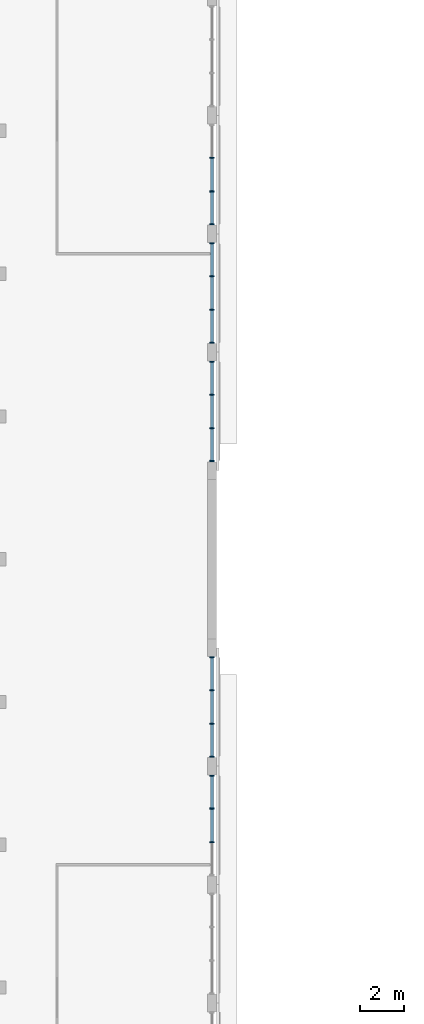
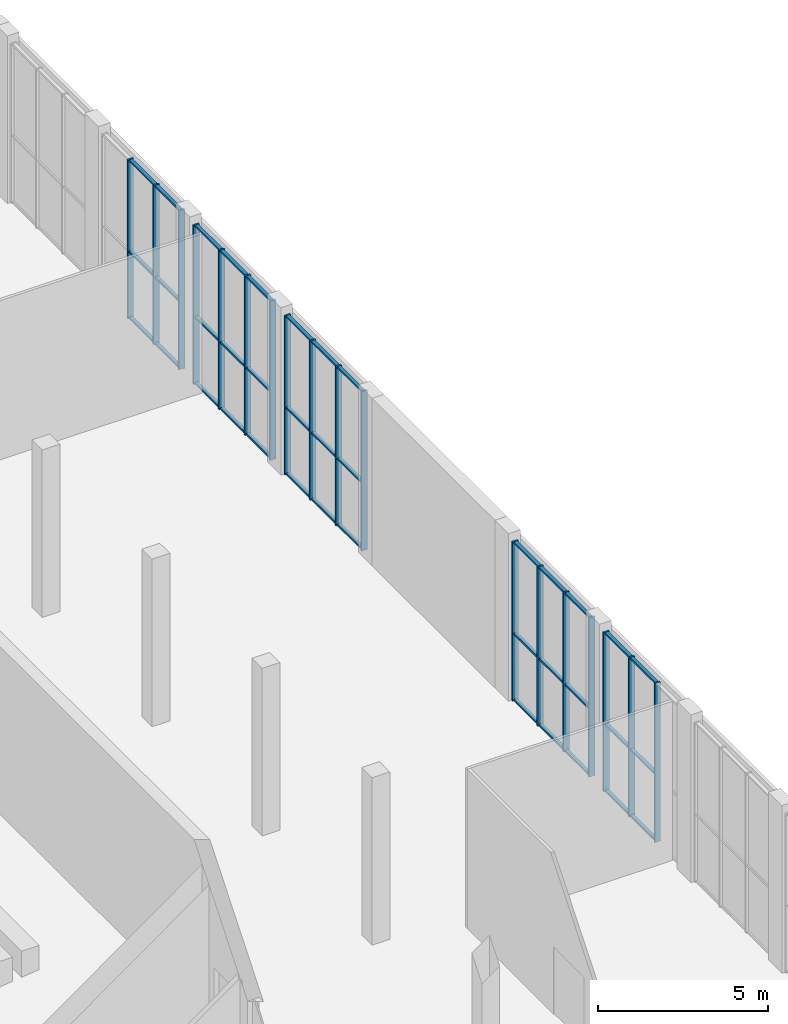
# One storey, part 9 of 74: 57 members, 5 elements without a shape of their own.
"""IFC4 building model written with IfcOpenShell, lengths in metres."""

import ifcopenshell
import ifcopenshell.guid

model = None  # the IFC model being written
_history = None  # IfcOwnerHistory: only IFC2X3 demands one
_inside = {}  # id of a spatial element -> (the spatial element, [elements in it])
_under = {}  # id of a project, library or spatial element -> (it, [spatial elements below it])
_declared = {}  # id of a project -> (the project, [libraries it declares])
_typed = {}  # id of a type object -> (the type object, [elements of that type])
_made_of = {}  # id of a material, layer set ... -> (it, [elements and type objects made of it])


def new_model(schema):
    """Start an empty IFC model of exactly this schema.

    Asked for "IFC4X3", IfcOpenShell would pick the latest addendum, in which some entities
    have other attributes; the version numbers below select the first issue.
    IFC2X3 requires an IfcOwnerHistory on every rooted entity: one is made here for all.
    """
    global model, _history
    if schema == "IFC4X3":
        model = ifcopenshell.file(schema_version=(4, 3, 0, 0))
    else:
        model = ifcopenshell.file(schema=schema)
    _inside.clear()
    _under.clear()
    _declared.clear()
    _typed.clear()
    _made_of.clear()
    _history = None
    if model.schema == "IFC2X3":
        org = make("IfcOrganization", Name="unknown")
        user = make(
            "IfcPersonAndOrganization",
            ThePerson=make("IfcPerson", FamilyName="unknown"),
            TheOrganization=org,
        )
        app = make(
            "IfcApplication",
            ApplicationDeveloper=org,
            Version="unknown",
            ApplicationFullName="unknown",
            ApplicationIdentifier="unknown",
        )
        _history = make(
            "IfcOwnerHistory",
            OwningUser=user,
            OwningApplication=app,
            ChangeAction="ADDED",
            CreationDate=0,
        )
    return model


def make(cls, **values):
    """One entity of the class cls with the attributes given. An attribute that is None is left unset."""
    return model.create_entity(
        cls, **{name: value for name, value in values.items() if value is not None}
    )


def rooted(cls, **values):
    """An entity with a GlobalId (a new one), such as an element, a storey or a relation."""
    return make(cls, GlobalId=ifcopenshell.guid.new(), OwnerHistory=_history, **values)


def si_unit(unit_type, name, prefix=None):
    """IfcSIUnit, for example si_unit("LENGTHUNIT", "METRE", prefix="MILLI")."""
    return make("IfcSIUnit", UnitType=unit_type, Prefix=prefix, Name=name)


def assignment(units):
    """IfcUnitAssignment: the units of a project."""
    return None if units is None else make("IfcUnitAssignment", Units=units)


def point(xyz):
    """IfcCartesianPoint."""
    return None if xyz is None else make("IfcCartesianPoint", Coordinates=xyz)


def direction(xyz):
    """IfcDirection."""
    return None if xyz is None else make("IfcDirection", DirectionRatios=xyz)


def frame(location, z_axis=None, x_axis=None):
    """IfcAxis2Placement3D, a coordinate frame: its origin and axes. An axis left out is left unset."""
    return make(
        "IfcAxis2Placement3D",
        Location=point(location),
        Axis=direction(z_axis),
        RefDirection=direction(x_axis),
    )


def frame_2d(location, x_axis=None):
    """IfcAxis2Placement2D, a coordinate frame in the plane: its origin and x axis."""
    return make(
        "IfcAxis2Placement2D", Location=point(location), RefDirection=direction(x_axis)
    )


def origin():
    """The frame at (0, 0, 0) with its axes left unset."""
    return frame((0.0, 0.0, 0.0))


def origin_2d():
    """The frame at (0, 0) in the plane with its x axis left unset."""
    return frame_2d((0.0, 0.0))


def place(relative_to, where):
    """IfcLocalPlacement: puts the frame where relative to a parent placement (None: the world)."""
    return make(
        "IfcLocalPlacement", PlacementRelTo=relative_to, RelativePlacement=where
    )


def context(
    kind, dimensions, precision=None, world=None, true_north=None, identifier=None
):
    """IfcGeometricRepresentationContext, for example the 3D "Model" context."""
    return make(
        "IfcGeometricRepresentationContext",
        ContextIdentifier=identifier,
        ContextType=kind,
        CoordinateSpaceDimension=dimensions,
        Precision=precision,
        WorldCoordinateSystem=world,
        TrueNorth=true_north,
    )


def subcontext(parent, identifier, kind, view, scale=None):
    """IfcGeometricRepresentationSubContext, for example "Body" below "Model"."""
    return make(
        "IfcGeometricRepresentationSubContext",
        ContextIdentifier=identifier,
        ContextType=kind,
        ParentContext=parent,
        TargetScale=scale,
        TargetView=view,
    )


def project(units=None, contexts=None):
    """IfcProject with its units and contexts."""
    return rooted(
        "IfcProject",
        Name="project",
        RepresentationContexts=contexts,
        UnitsInContext=assignment(units),
    )


def spatial(cls, under=None, at=None, **own):
    """A site, building, storey or space (cls), placed at a placement, below another one or the project."""
    s = rooted(cls, ObjectPlacement=at, **own)
    if under is not None:
        _under.setdefault(under.id(), (under, []))[1].append(s)
    return s


def profile(cls, at=None, kind="AREA", **sizes):
    """A parametric profile (cls). Its sizes go by their IFC names, for example OverallWidth=200.0."""
    return make(cls, ProfileType=kind, Position=at, **sizes)


def rectangle(**sizes):
    """IfcRectangleProfileDef."""
    return profile("IfcRectangleProfileDef", **sizes)


def extrude(swept, where, along, depth):
    """IfcExtrudedAreaSolid: the profile swept, set in the frame where, extruded along a direction by depth."""
    return make(
        "IfcExtrudedAreaSolid",
        SweptArea=swept,
        Position=where,
        ExtrudedDirection=direction(along),
        Depth=depth,
    )


def shape(context_of_items, identifier, shape_type, items):
    """IfcShapeRepresentation: the items that make up one representation, for example the "Body"."""
    return make(
        "IfcShapeRepresentation",
        ContextOfItems=context_of_items,
        RepresentationIdentifier=identifier,
        RepresentationType=shape_type,
        Items=items,
    )


def material(Name=None, Category=None):
    """IfcMaterial."""
    return make("IfcMaterial", Name=Name, Category=Category)


def layer(
    of_material, thickness, ventilated=None, Name=None, Category=None, Priority=None
):
    """IfcMaterialLayer: one layer of a wall or slab, of a material (None: an air gap)."""
    return make(
        "IfcMaterialLayer",
        Material=of_material,
        LayerThickness=thickness,
        IsVentilated=ventilated,
        Name=Name,
        Category=Category,
        Priority=Priority,
    )


def layer_set(layers, Name=None):
    """IfcMaterialLayerSet."""
    return make("IfcMaterialLayerSet", MaterialLayers=layers, LayerSetName=Name)


def material_profile(
    of_material, cross_section, Name=None, Category=None, Priority=None
):
    """IfcMaterialProfile: a cross section and its material."""
    return make(
        "IfcMaterialProfile",
        Name=Name,
        Material=of_material,
        Profile=cross_section,
        Priority=Priority,
        Category=Category,
    )


def profile_set(profiles, Name=None, composite=None):
    """IfcMaterialProfileSet."""
    return make(
        "IfcMaterialProfileSet",
        Name=Name,
        MaterialProfiles=profiles,
        CompositeProfile=composite,
    )


def made_of(thing, what):
    """Note that an element or type object is made of a material, layer set ...; save() writes the relation."""
    if what is not None:
        _made_of.setdefault(what.id(), (what, []))[1].append(thing)
    return thing


def type_object(cls, material=None, **own):
    """A type object (cls), such as IfcWallType, which elements share."""
    return made_of(rooted(cls, **own), material)


def element(
    cls,
    number,
    at=None,
    inside=None,
    cuts=None,
    type_object=None,
    material=None,
    context=None,
    identifier="Body",
    shape_type=None,
    held_by="IfcProductDefinitionShape",
    body=None,
    shapes=None,
    **own,
):
    """One element of the class cls, such as IfcWall. Its Tag is "e" and its number.

    at: its placement. inside: the storey or other place that contains it. cuts: it is an
    opening in that element (IfcRelVoidsElement). A single representation is given by context,
    identifier, shape_type and body (its items); several are given by shapes. held_by: the class
    of the entity that holds the representations. save() writes the other relations.
    """
    e = rooted(cls, Tag="e%d" % number, ObjectPlacement=at, **own)
    if body is not None:
        shapes = [shape(context, identifier, shape_type, body)]
    if shapes is not None:
        e.Representation = make(held_by, Representations=shapes)
    if inside is not None:
        _inside.setdefault(inside.id(), (inside, []))[1].append(e)
    if cuts is not None:
        rooted(
            "IfcRelVoidsElement", RelatingBuildingElement=cuts, RelatedOpeningElement=e
        )
    if type_object is not None:
        _typed.setdefault(type_object.id(), (type_object, []))[1].append(e)
    return made_of(e, material)


def aggregate(whole, parts):
    """IfcRelAggregates: a whole, such as a stair, and the parts it consists of."""
    return rooted("IfcRelAggregates", RelatingObject=whole, RelatedObjects=parts)


def save(model, path):
    """Write the relations noted so far, then the file.

    IfcRelAggregates (storeys below a building ...), IfcRelContainedInSpatialStructure (elements
    in a storey), IfcRelDefinesByType, IfcRelAssociatesMaterial and IfcRelDeclares: one each for
    every whole, place, type object, material and project.
    """
    for whole, parts in _under.values():
        aggregate(whole, parts)
    for where, things in _inside.values():
        rooted(
            "IfcRelContainedInSpatialStructure",
            RelatedElements=things,
            RelatingStructure=where,
        )
    for kind, things in _typed.values():
        rooted("IfcRelDefinesByType", RelatedObjects=things, RelatingType=kind)
    for what, things in _made_of.values():
        rooted("IfcRelAssociatesMaterial", RelatedObjects=things, RelatingMaterial=what)
    for by, libraries in _declared.values():
        rooted("IfcRelDeclares", RelatingContext=by, RelatedDefinitions=libraries)
    model.write(path)


model = new_model("IFC4")

# Units and contexts
model_context = context("Model", 3, precision=1e-05, world=origin(), true_north=direction((0.0, 1.0)))
body_context = subcontext(model_context, "Body", "Model", "MODEL_VIEW")
ifc_project = project(units=[si_unit("LENGTHUNIT", "METRE"), si_unit("AREAUNIT", "SQUARE_METRE"), si_unit("VOLUMEUNIT", "CUBIC_METRE"), si_unit("PLANEANGLEUNIT", "RADIAN"), si_unit("MASSUNIT", "GRAM", prefix="KILO")], contexts=[model_context])

# Site, building, storey
site_placement = place(None, origin())
site = spatial("IfcSite", under=ifc_project, at=site_placement, CompositionType="ELEMENT")
building_placement = place(site_placement, origin())
building = spatial("IfcBuilding", under=site, at=building_placement, Name="Noorbagh Ring Tower", CompositionType="ELEMENT")
storey_placement = place(building_placement, frame((0.0, 0.0, 7.5)))
storey = spatial("IfcBuildingStorey", under=building, at=storey_placement, Name="L01", CompositionType="ELEMENT", Elevation=7.5)

# Curtain wall, members
ifc_material_1 = material(Name="Aluminium and glass", Category="aluminium")
ifc_layer = layer(ifc_material_1, 0.199951171875)
ifc_layer_set = layer_set([ifc_layer], Name="Aluminium and glass")
curtain_wall_type = type_object("IfcCurtainWallType", Name="TH-CW", PredefinedType="NOTDEFINED", material=ifc_layer_set)
curtain_wall_1_placement = place(storey_placement, origin())
curtain_wall_1 = element("IfcCurtainWall", 1, at=curtain_wall_1_placement, inside=storey, type_object=curtain_wall_type, Name="Foyer glazing", PredefinedType="NOTDEFINED")
ifc_material_2 = material(Name="Aluminium", Category="aluminium")
ifc_material_profile_1 = material_profile(ifc_material_2, rectangle(XDim=0.199951171875, YDim=0.06005859375, at=origin_2d()), Name="AL 200x60")
ifc_profile_set_1 = profile_set([ifc_material_profile_1], Name="Aluminium")
member_type_1 = type_object("IfcMemberType", Name="TH-CW-MULLION", PredefinedType="MULLION", material=ifc_profile_set_1)
member_1_placement = place(storey_placement, frame((-95.199951171875, -7.783447265625, 0.0), z_axis=(0.0, 0.0, 1.0), x_axis=(-1.0, 0.0, 0.0)))
member_1 = element("IfcMember", 2, at=member_1_placement, type_object=member_type_1, Name="CW-T mullion 2", PredefinedType="MULLION", context=body_context, shape_type="SweptSolid", body=[
    extrude(rectangle(XDim=0.199951171875, YDim=0.06005859375, at=origin_2d()), origin(), (0.0, 0.0, 1.0), 5.699951171875),
])
member_2_placement = place(storey_placement, frame((-95.199951171875, -6.2666015625, 0.0), z_axis=(0.0, 0.0, 1.0), x_axis=(-1.0, 0.0, 0.0)))
member_2 = element("IfcMember", 3, at=member_2_placement, type_object=member_type_1, Name="CW-T mullion 3", PredefinedType="MULLION", context=body_context, shape_type="SweptSolid", body=[
    extrude(rectangle(XDim=0.199951171875, YDim=0.06005859375, at=origin_2d()), origin(), (0.0, 0.0, 1.0), 5.699951171875),
])
member_3_placement = place(storey_placement, frame((-95.199951171875, -4.780029296875, 0.0), z_axis=(0.0, 0.0, 1.0), x_axis=(-1.0, 0.0, 0.0)))
member_3 = element("IfcMember", 4, at=member_3_placement, type_object=member_type_1, Name="CW-T mullion 4", PredefinedType="MULLION", context=body_context, shape_type="SweptSolid", body=[
    extrude(rectangle(XDim=0.199951171875, YDim=0.06005859375, at=origin_2d()), origin(), (0.0, 0.0, 1.0), 5.699951171875),
])

curtain_wall_2_placement = place(storey_placement, origin())
curtain_wall_2 = element("IfcCurtainWall", 5, at=curtain_wall_2_placement, inside=storey, type_object=curtain_wall_type, Name="Foyer glazing", PredefinedType="NOTDEFINED")
member_4_placement = place(storey_placement, frame((-95.199951171875, -3.919921875, 0.0), z_axis=(0.0, 0.0, 1.0), x_axis=(-1.0, 0.0, 0.0)))
member_4 = element("IfcMember", 6, at=member_4_placement, type_object=member_type_1, Name="CW-T mullion 1", PredefinedType="MULLION", context=body_context, shape_type="SweptSolid", body=[
    extrude(rectangle(XDim=0.199951171875, YDim=0.06005859375, at=origin_2d()), origin(), (0.0, 0.0, 1.0), 5.699951171875),
])
member_5_placement = place(storey_placement, frame((-95.199951171875, -2.433349609375, 0.0), z_axis=(0.0, 0.0, 1.0), x_axis=(-1.0, 0.0, 0.0)))
member_5 = element("IfcMember", 7, at=member_5_placement, type_object=member_type_1, Name="CW-T mullion 2", PredefinedType="MULLION", context=body_context, shape_type="SweptSolid", body=[
    extrude(rectangle(XDim=0.199951171875, YDim=0.06005859375, at=origin_2d()), origin(), (0.0, 0.0, 1.0), 5.699951171875),
])
member_6_placement = place(storey_placement, frame((-95.199951171875, -0.916748046875, 0.0), z_axis=(0.0, 0.0, 1.0), x_axis=(-1.0, 0.0, 0.0)))
member_6 = element("IfcMember", 8, at=member_6_placement, type_object=member_type_1, Name="CW-T mullion 3", PredefinedType="MULLION", context=body_context, shape_type="SweptSolid", body=[
    extrude(rectangle(XDim=0.199951171875, YDim=0.06005859375, at=origin_2d()), origin(), (0.0, 0.0, 1.0), 5.699951171875),
])
member_7_placement = place(storey_placement, frame((-95.199951171875, 0.570068359375, 0.0), z_axis=(0.0, 0.0, 1.0), x_axis=(-1.0, 0.0, 0.0)))
member_7 = element("IfcMember", 9, at=member_7_placement, type_object=member_type_1, Name="CW-T mullion 4", PredefinedType="MULLION", context=body_context, shape_type="SweptSolid", body=[
    extrude(rectangle(XDim=0.199951171875, YDim=0.06005859375, at=origin_2d()), origin(), (0.0, 0.0, 1.0), 5.699951171875),
])

curtain_wall_3_placement = place(storey_placement, origin())
curtain_wall_3 = element("IfcCurtainWall", 10, at=curtain_wall_3_placement, inside=storey, type_object=curtain_wall_type, Name="Foyer glazing", PredefinedType="NOTDEFINED")
member_8_placement = place(storey_placement, frame((-95.199951171875, 9.429931640625, 0.0), z_axis=(0.0, 0.0, 1.0), x_axis=(-1.0, 0.0, 0.0)))
member_8 = element("IfcMember", 11, at=member_8_placement, type_object=member_type_1, Name="CW-T mullion 1", PredefinedType="MULLION", context=body_context, shape_type="SweptSolid", body=[
    extrude(rectangle(XDim=0.199951171875, YDim=0.06005859375, at=origin_2d()), origin(), (0.0, 0.0, 1.0), 5.699951171875),
])
member_9_placement = place(storey_placement, frame((-95.199951171875, 10.916748046875, 0.0), z_axis=(0.0, 0.0, 1.0), x_axis=(-1.0, 0.0, 0.0)))
member_9 = element("IfcMember", 12, at=member_9_placement, type_object=member_type_1, Name="CW-T mullion 2", PredefinedType="MULLION", context=body_context, shape_type="SweptSolid", body=[
    extrude(rectangle(XDim=0.199951171875, YDim=0.06005859375, at=origin_2d()), origin(), (0.0, 0.0, 1.0), 5.699951171875),
])
member_10_placement = place(storey_placement, frame((-95.199951171875, 12.433349609375, 0.0), z_axis=(0.0, 0.0, 1.0), x_axis=(-1.0, 0.0, 0.0)))
member_10 = element("IfcMember", 13, at=member_10_placement, type_object=member_type_1, Name="CW-T mullion 3", PredefinedType="MULLION", context=body_context, shape_type="SweptSolid", body=[
    extrude(rectangle(XDim=0.199951171875, YDim=0.06005859375, at=origin_2d()), origin(), (0.0, 0.0, 1.0), 5.699951171875),
])
member_11_placement = place(storey_placement, frame((-95.199951171875, 13.919921875, 0.0), z_axis=(0.0, 0.0, 1.0), x_axis=(-1.0, 0.0, 0.0)))
member_11 = element("IfcMember", 14, at=member_11_placement, type_object=member_type_1, Name="CW-T mullion 4", PredefinedType="MULLION", context=body_context, shape_type="SweptSolid", body=[
    extrude(rectangle(XDim=0.199951171875, YDim=0.06005859375, at=origin_2d()), origin(), (0.0, 0.0, 1.0), 5.699951171875),
])

curtain_wall_4_placement = place(storey_placement, origin())
curtain_wall_4 = element("IfcCurtainWall", 15, at=curtain_wall_4_placement, inside=storey, type_object=curtain_wall_type, Name="Foyer glazing", PredefinedType="NOTDEFINED")
member_12_placement = place(storey_placement, frame((-95.199951171875, 14.780029296875, 0.0), z_axis=(0.0, 0.0, 1.0), x_axis=(-1.0, 0.0, 0.0)))
member_12 = element("IfcMember", 16, at=member_12_placement, type_object=member_type_1, Name="CW-T mullion 1", PredefinedType="MULLION", context=body_context, shape_type="SweptSolid", body=[
    extrude(rectangle(XDim=0.199951171875, YDim=0.06005859375, at=origin_2d()), origin(), (0.0, 0.0, 1.0), 5.699951171875),
])
member_13_placement = place(storey_placement, frame((-95.199951171875, 16.2666015625, 0.0), z_axis=(0.0, 0.0, 1.0), x_axis=(-1.0, 0.0, 0.0)))
member_13 = element("IfcMember", 17, at=member_13_placement, type_object=member_type_1, Name="CW-T mullion 2", PredefinedType="MULLION", context=body_context, shape_type="SweptSolid", body=[
    extrude(rectangle(XDim=0.199951171875, YDim=0.06005859375, at=origin_2d()), origin(), (0.0, 0.0, 1.0), 5.699951171875),
])
member_14_placement = place(storey_placement, frame((-95.199951171875, 17.783447265625, 0.0), z_axis=(0.0, 0.0, 1.0), x_axis=(-1.0, 0.0, 0.0)))
member_14 = element("IfcMember", 18, at=member_14_placement, type_object=member_type_1, Name="CW-T mullion 3", PredefinedType="MULLION", context=body_context, shape_type="SweptSolid", body=[
    extrude(rectangle(XDim=0.199951171875, YDim=0.06005859375, at=origin_2d()), origin(), (0.0, 0.0, 1.0), 5.699951171875),
])
member_15_placement = place(storey_placement, frame((-95.199951171875, 19.27001953125, 0.0), z_axis=(0.0, 0.0, 1.0), x_axis=(-1.0, 0.0, 0.0)))
member_15 = element("IfcMember", 19, at=member_15_placement, type_object=member_type_1, Name="CW-T mullion 4", PredefinedType="MULLION", context=body_context, shape_type="SweptSolid", body=[
    extrude(rectangle(XDim=0.199951171875, YDim=0.06005859375, at=origin_2d()), origin(), (0.0, 0.0, 1.0), 5.699951171875),
])

curtain_wall_5_placement = place(storey_placement, origin())
curtain_wall_5 = element("IfcCurtainWall", 20, at=curtain_wall_5_placement, inside=storey, type_object=curtain_wall_type, Name="Foyer glazing", PredefinedType="NOTDEFINED")
member_16_placement = place(storey_placement, frame((-95.199951171875, 20.1298828125, 0.0), z_axis=(0.0, 0.0, 1.0), x_axis=(-1.0, 0.0, 0.0)))
member_16 = element("IfcMember", 21, at=member_16_placement, type_object=member_type_1, Name="CW-T mullion 1", PredefinedType="MULLION", context=body_context, shape_type="SweptSolid", body=[
    extrude(rectangle(XDim=0.199951171875, YDim=0.06005859375, at=origin_2d()), origin(), (0.0, 0.0, 1.0), 5.699951171875),
])
member_17_placement = place(storey_placement, frame((-95.199951171875, 21.61669921875, 0.0), z_axis=(0.0, 0.0, 1.0), x_axis=(-1.0, 0.0, 0.0)))
member_17 = element("IfcMember", 22, at=member_17_placement, type_object=member_type_1, Name="CW-T mullion 2", PredefinedType="MULLION", context=body_context, shape_type="SweptSolid", body=[
    extrude(rectangle(XDim=0.199951171875, YDim=0.06005859375, at=origin_2d()), origin(), (0.0, 0.0, 1.0), 5.699951171875),
])
member_18_placement = place(storey_placement, frame((-95.199951171875, 23.13330078125, 0.0), z_axis=(0.0, 0.0, 1.0), x_axis=(-1.0, 0.0, 0.0)))
member_18 = element("IfcMember", 23, at=member_18_placement, type_object=member_type_1, Name="CW-T mullion 3", PredefinedType="MULLION", context=body_context, shape_type="SweptSolid", body=[
    extrude(rectangle(XDim=0.199951171875, YDim=0.06005859375, at=origin_2d()), origin(), (0.0, 0.0, 1.0), 5.699951171875),
])

# Member
ifc_material_3 = material(Name="Aluminium", Category="aluminium")
ifc_material_profile_2 = material_profile(ifc_material_3, rectangle(XDim=0.1201171875, YDim=0.06005859375, at=origin_2d()), Name="AL 120x60")
ifc_profile_set_2 = profile_set([ifc_material_profile_2], Name="Aluminium")
member_type_2 = type_object("IfcMemberType", Name="TH-CW-TRANSOM", PredefinedType="USERDEFINED", material=ifc_profile_set_2)
member_19_placement = place(storey_placement, frame((-95.199951171875, -7.75341796875, 0.030029296875), z_axis=(0.0, 1.0, 0.0), x_axis=(-1.0, 0.0, 0.0)))
member_19 = element("IfcMember", 24, at=member_19_placement, type_object=member_type_2, Name="CW-T transom 2.1", ObjectType="TRANSOM", PredefinedType="USERDEFINED", context=body_context, shape_type="SweptSolid", body=[
    extrude(rectangle(XDim=0.1201171875, YDim=0.06005859375, at=origin_2d()), origin(), (0.0, 0.0, 1.0), 1.456787109375),
])

member_20_placement = place(storey_placement, frame((-95.199951171875, -7.75341796875, 2.39990234375), z_axis=(0.0, 1.0, 0.0), x_axis=(-1.0, 0.0, 0.0)))
member_20 = element("IfcMember", 25, at=member_20_placement, type_object=member_type_2, Name="CW-T transom 2.2", ObjectType="TRANSOM", PredefinedType="USERDEFINED", context=body_context, shape_type="SweptSolid", body=[
    extrude(rectangle(XDim=0.1201171875, YDim=0.06005859375, at=origin_2d()), origin(), (0.0, 0.0, 1.0), 1.456787109375),
])

member_21_placement = place(storey_placement, frame((-95.199951171875, -7.75341796875, 5.669921875), z_axis=(0.0, 1.0, 0.0), x_axis=(-1.0, 0.0, 0.0)))
member_21 = element("IfcMember", 26, at=member_21_placement, type_object=member_type_2, Name="CW-T transom 2.3", ObjectType="TRANSOM", PredefinedType="USERDEFINED", context=body_context, shape_type="SweptSolid", body=[
    extrude(rectangle(XDim=0.1201171875, YDim=0.06005859375, at=origin_2d()), origin(), (0.0, 0.0, 1.0), 1.456787109375),
])

member_22_placement = place(storey_placement, frame((-95.199951171875, -6.236572265625, 0.030029296875), z_axis=(0.0, 1.0, 0.0), x_axis=(-1.0, 0.0, 0.0)))
member_22 = element("IfcMember", 27, at=member_22_placement, type_object=member_type_2, Name="CW-T transom 3.1", ObjectType="TRANSOM", PredefinedType="USERDEFINED", context=body_context, shape_type="SweptSolid", body=[
    extrude(rectangle(XDim=0.1201171875, YDim=0.06005859375, at=origin_2d()), origin(), (0.0, 0.0, 1.0), 1.426513671875),
])

member_23_placement = place(storey_placement, frame((-95.199951171875, -6.236572265625, 2.39990234375), z_axis=(0.0, 1.0, 0.0), x_axis=(-1.0, 0.0, 0.0)))
member_23 = element("IfcMember", 28, at=member_23_placement, type_object=member_type_2, Name="CW-T transom 3.2", ObjectType="TRANSOM", PredefinedType="USERDEFINED", context=body_context, shape_type="SweptSolid", body=[
    extrude(rectangle(XDim=0.1201171875, YDim=0.06005859375, at=origin_2d()), origin(), (0.0, 0.0, 1.0), 1.426513671875),
])

member_24_placement = place(storey_placement, frame((-95.199951171875, -6.236572265625, 5.669921875), z_axis=(0.0, 1.0, 0.0), x_axis=(-1.0, 0.0, 0.0)))
member_24 = element("IfcMember", 29, at=member_24_placement, type_object=member_type_2, Name="CW-T transom 3.3", ObjectType="TRANSOM", PredefinedType="USERDEFINED", context=body_context, shape_type="SweptSolid", body=[
    extrude(rectangle(XDim=0.1201171875, YDim=0.06005859375, at=origin_2d()), origin(), (0.0, 0.0, 1.0), 1.426513671875),
])

aggregate(curtain_wall_1, [member_1, member_2, member_3, member_19, member_20, member_21, member_22, member_23, member_24])

member_25_placement = place(storey_placement, frame((-95.199951171875, -3.889892578125, 0.030029296875), z_axis=(0.0, 1.0, 0.0), x_axis=(-1.0, 0.0, 0.0)))
member_25 = element("IfcMember", 30, at=member_25_placement, type_object=member_type_2, Name="CW-T transom 1.1", ObjectType="TRANSOM", PredefinedType="USERDEFINED", context=body_context, shape_type="SweptSolid", body=[
    extrude(rectangle(XDim=0.1201171875, YDim=0.06005859375, at=origin_2d()), origin(), (0.0, 0.0, 1.0), 1.426513671875),
])

member_26_placement = place(storey_placement, frame((-95.199951171875, -3.889892578125, 2.39990234375), z_axis=(0.0, 1.0, 0.0), x_axis=(-1.0, 0.0, 0.0)))
member_26 = element("IfcMember", 31, at=member_26_placement, type_object=member_type_2, Name="CW-T transom 1.2", ObjectType="TRANSOM", PredefinedType="USERDEFINED", context=body_context, shape_type="SweptSolid", body=[
    extrude(rectangle(XDim=0.1201171875, YDim=0.06005859375, at=origin_2d()), origin(), (0.0, 0.0, 1.0), 1.426513671875),
])

member_27_placement = place(storey_placement, frame((-95.199951171875, -3.889892578125, 5.669921875), z_axis=(0.0, 1.0, 0.0), x_axis=(-1.0, 0.0, 0.0)))
member_27 = element("IfcMember", 32, at=member_27_placement, type_object=member_type_2, Name="CW-T transom 1.3", ObjectType="TRANSOM", PredefinedType="USERDEFINED", context=body_context, shape_type="SweptSolid", body=[
    extrude(rectangle(XDim=0.1201171875, YDim=0.06005859375, at=origin_2d()), origin(), (0.0, 0.0, 1.0), 1.426513671875),
])

member_28_placement = place(storey_placement, frame((-95.199951171875, -2.4033203125, 0.030029296875), z_axis=(0.0, 1.0, 0.0), x_axis=(-1.0, 0.0, 0.0)))
member_28 = element("IfcMember", 33, at=member_28_placement, type_object=member_type_2, Name="CW-T transom 2.1", ObjectType="TRANSOM", PredefinedType="USERDEFINED", context=body_context, shape_type="SweptSolid", body=[
    extrude(rectangle(XDim=0.1201171875, YDim=0.06005859375, at=origin_2d()), origin(), (0.0, 0.0, 1.0), 1.45654296875),
])

member_29_placement = place(storey_placement, frame((-95.199951171875, -2.4033203125, 2.39990234375), z_axis=(0.0, 1.0, 0.0), x_axis=(-1.0, 0.0, 0.0)))
member_29 = element("IfcMember", 34, at=member_29_placement, type_object=member_type_2, Name="CW-T transom 2.2", ObjectType="TRANSOM", PredefinedType="USERDEFINED", context=body_context, shape_type="SweptSolid", body=[
    extrude(rectangle(XDim=0.1201171875, YDim=0.06005859375, at=origin_2d()), origin(), (0.0, 0.0, 1.0), 1.45654296875),
])

member_30_placement = place(storey_placement, frame((-95.199951171875, -2.4033203125, 5.669921875), z_axis=(0.0, 1.0, 0.0), x_axis=(-1.0, 0.0, 0.0)))
member_30 = element("IfcMember", 35, at=member_30_placement, type_object=member_type_2, Name="CW-T transom 2.3", ObjectType="TRANSOM", PredefinedType="USERDEFINED", context=body_context, shape_type="SweptSolid", body=[
    extrude(rectangle(XDim=0.1201171875, YDim=0.06005859375, at=origin_2d()), origin(), (0.0, 0.0, 1.0), 1.45654296875),
])

member_31_placement = place(storey_placement, frame((-95.199951171875, -0.88671875, 0.030029296875), z_axis=(0.0, 1.0, 0.0), x_axis=(-1.0, 0.0, 0.0)))
member_31 = element("IfcMember", 36, at=member_31_placement, type_object=member_type_2, Name="CW-T transom 3.1", ObjectType="TRANSOM", PredefinedType="USERDEFINED", context=body_context, shape_type="SweptSolid", body=[
    extrude(rectangle(XDim=0.1201171875, YDim=0.06005859375, at=origin_2d()), origin(), (0.0, 0.0, 1.0), 1.4267578125),
])

member_32_placement = place(storey_placement, frame((-95.199951171875, -0.88671875, 2.39990234375), z_axis=(0.0, 1.0, 0.0), x_axis=(-1.0, 0.0, 0.0)))
member_32 = element("IfcMember", 37, at=member_32_placement, type_object=member_type_2, Name="CW-T transom 3.2", ObjectType="TRANSOM", PredefinedType="USERDEFINED", context=body_context, shape_type="SweptSolid", body=[
    extrude(rectangle(XDim=0.1201171875, YDim=0.06005859375, at=origin_2d()), origin(), (0.0, 0.0, 1.0), 1.4267578125),
])

member_33_placement = place(storey_placement, frame((-95.199951171875, -0.88671875, 5.669921875), z_axis=(0.0, 1.0, 0.0), x_axis=(-1.0, 0.0, 0.0)))
member_33 = element("IfcMember", 38, at=member_33_placement, type_object=member_type_2, Name="CW-T transom 3.3", ObjectType="TRANSOM", PredefinedType="USERDEFINED", context=body_context, shape_type="SweptSolid", body=[
    extrude(rectangle(XDim=0.1201171875, YDim=0.06005859375, at=origin_2d()), origin(), (0.0, 0.0, 1.0), 1.4267578125),
])

aggregate(curtain_wall_2, [member_4, member_5, member_6, member_7, member_25, member_26, member_27, member_28, member_29, member_30, member_31, member_32, member_33])

member_34_placement = place(storey_placement, frame((-95.199951171875, 9.4599609375, 0.030029296875), z_axis=(0.0, 1.0, 0.0), x_axis=(-1.0, 0.0, 0.0)))
member_34 = element("IfcMember", 39, at=member_34_placement, type_object=member_type_2, Name="CW-T transom 1.1", ObjectType="TRANSOM", PredefinedType="USERDEFINED", context=body_context, shape_type="SweptSolid", body=[
    extrude(rectangle(XDim=0.1201171875, YDim=0.06005859375, at=origin_2d()), origin(), (0.0, 0.0, 1.0), 1.4267578125),
])

member_35_placement = place(storey_placement, frame((-95.199951171875, 9.4599609375, 2.39990234375), z_axis=(0.0, 1.0, 0.0), x_axis=(-1.0, 0.0, 0.0)))
member_35 = element("IfcMember", 40, at=member_35_placement, type_object=member_type_2, Name="CW-T transom 1.2", ObjectType="TRANSOM", PredefinedType="USERDEFINED", context=body_context, shape_type="SweptSolid", body=[
    extrude(rectangle(XDim=0.1201171875, YDim=0.06005859375, at=origin_2d()), origin(), (0.0, 0.0, 1.0), 1.4267578125),
])

member_36_placement = place(storey_placement, frame((-95.199951171875, 9.4599609375, 5.669921875), z_axis=(0.0, 1.0, 0.0), x_axis=(-1.0, 0.0, 0.0)))
member_36 = element("IfcMember", 41, at=member_36_placement, type_object=member_type_2, Name="CW-T transom 1.3", ObjectType="TRANSOM", PredefinedType="USERDEFINED", context=body_context, shape_type="SweptSolid", body=[
    extrude(rectangle(XDim=0.1201171875, YDim=0.06005859375, at=origin_2d()), origin(), (0.0, 0.0, 1.0), 1.4267578125),
])

member_37_placement = place(storey_placement, frame((-95.199951171875, 10.94677734375, 0.030029296875), z_axis=(0.0, 1.0, 0.0), x_axis=(-1.0, 0.0, 0.0)))
member_37 = element("IfcMember", 42, at=member_37_placement, type_object=member_type_2, Name="CW-T transom 2.1", ObjectType="TRANSOM", PredefinedType="USERDEFINED", context=body_context, shape_type="SweptSolid", body=[
    extrude(rectangle(XDim=0.1201171875, YDim=0.06005859375, at=origin_2d()), origin(), (0.0, 0.0, 1.0), 1.45654296875),
])

member_38_placement = place(storey_placement, frame((-95.199951171875, 10.94677734375, 2.39990234375), z_axis=(0.0, 1.0, 0.0), x_axis=(-1.0, 0.0, 0.0)))
member_38 = element("IfcMember", 43, at=member_38_placement, type_object=member_type_2, Name="CW-T transom 2.2", ObjectType="TRANSOM", PredefinedType="USERDEFINED", context=body_context, shape_type="SweptSolid", body=[
    extrude(rectangle(XDim=0.1201171875, YDim=0.06005859375, at=origin_2d()), origin(), (0.0, 0.0, 1.0), 1.45654296875),
])

member_39_placement = place(storey_placement, frame((-95.199951171875, 10.94677734375, 5.669921875), z_axis=(0.0, 1.0, 0.0), x_axis=(-1.0, 0.0, 0.0)))
member_39 = element("IfcMember", 44, at=member_39_placement, type_object=member_type_2, Name="CW-T transom 2.3", ObjectType="TRANSOM", PredefinedType="USERDEFINED", context=body_context, shape_type="SweptSolid", body=[
    extrude(rectangle(XDim=0.1201171875, YDim=0.06005859375, at=origin_2d()), origin(), (0.0, 0.0, 1.0), 1.45654296875),
])

member_40_placement = place(storey_placement, frame((-95.199951171875, 12.46337890625, 0.030029296875), z_axis=(0.0, 1.0, 0.0), x_axis=(-1.0, 0.0, 0.0)))
member_40 = element("IfcMember", 45, at=member_40_placement, type_object=member_type_2, Name="CW-T transom 3.1", ObjectType="TRANSOM", PredefinedType="USERDEFINED", context=body_context, shape_type="SweptSolid", body=[
    extrude(rectangle(XDim=0.1201171875, YDim=0.06005859375, at=origin_2d()), origin(), (0.0, 0.0, 1.0), 1.426513671875),
])

member_41_placement = place(storey_placement, frame((-95.199951171875, 12.46337890625, 2.39990234375), z_axis=(0.0, 1.0, 0.0), x_axis=(-1.0, 0.0, 0.0)))
member_41 = element("IfcMember", 46, at=member_41_placement, type_object=member_type_2, Name="CW-T transom 3.2", ObjectType="TRANSOM", PredefinedType="USERDEFINED", context=body_context, shape_type="SweptSolid", body=[
    extrude(rectangle(XDim=0.1201171875, YDim=0.06005859375, at=origin_2d()), origin(), (0.0, 0.0, 1.0), 1.426513671875),
])

member_42_placement = place(storey_placement, frame((-95.199951171875, 12.46337890625, 5.669921875), z_axis=(0.0, 1.0, 0.0), x_axis=(-1.0, 0.0, 0.0)))
member_42 = element("IfcMember", 47, at=member_42_placement, type_object=member_type_2, Name="CW-T transom 3.3", ObjectType="TRANSOM", PredefinedType="USERDEFINED", context=body_context, shape_type="SweptSolid", body=[
    extrude(rectangle(XDim=0.1201171875, YDim=0.06005859375, at=origin_2d()), origin(), (0.0, 0.0, 1.0), 1.426513671875),
])

aggregate(curtain_wall_3, [member_8, member_9, member_10, member_11, member_34, member_35, member_36, member_37, member_38, member_39, member_40, member_41, member_42])

member_43_placement = place(storey_placement, frame((-95.199951171875, 14.81005859375, 0.030029296875), z_axis=(0.0, 1.0, 0.0), x_axis=(-1.0, 0.0, 0.0)))
member_43 = element("IfcMember", 48, at=member_43_placement, type_object=member_type_2, Name="CW-T transom 1.1", ObjectType="TRANSOM", PredefinedType="USERDEFINED", context=body_context, shape_type="SweptSolid", body=[
    extrude(rectangle(XDim=0.1201171875, YDim=0.06005859375, at=origin_2d()), origin(), (0.0, 0.0, 1.0), 1.426513671875),
])

member_44_placement = place(storey_placement, frame((-95.199951171875, 14.81005859375, 2.39990234375), z_axis=(0.0, 1.0, 0.0), x_axis=(-1.0, 0.0, 0.0)))
member_44 = element("IfcMember", 49, at=member_44_placement, type_object=member_type_2, Name="CW-T transom 1.2", ObjectType="TRANSOM", PredefinedType="USERDEFINED", context=body_context, shape_type="SweptSolid", body=[
    extrude(rectangle(XDim=0.1201171875, YDim=0.06005859375, at=origin_2d()), origin(), (0.0, 0.0, 1.0), 1.426513671875),
])

member_45_placement = place(storey_placement, frame((-95.199951171875, 14.81005859375, 5.669921875), z_axis=(0.0, 1.0, 0.0), x_axis=(-1.0, 0.0, 0.0)))
member_45 = element("IfcMember", 50, at=member_45_placement, type_object=member_type_2, Name="CW-T transom 1.3", ObjectType="TRANSOM", PredefinedType="USERDEFINED", context=body_context, shape_type="SweptSolid", body=[
    extrude(rectangle(XDim=0.1201171875, YDim=0.06005859375, at=origin_2d()), origin(), (0.0, 0.0, 1.0), 1.426513671875),
])

member_46_placement = place(storey_placement, frame((-95.199951171875, 16.296630859375, 0.030029296875), z_axis=(0.0, 1.0, 0.0), x_axis=(-1.0, 0.0, 0.0)))
member_46 = element("IfcMember", 51, at=member_46_placement, type_object=member_type_2, Name="CW-T transom 2.1", ObjectType="TRANSOM", PredefinedType="USERDEFINED", context=body_context, shape_type="SweptSolid", body=[
    extrude(rectangle(XDim=0.1201171875, YDim=0.06005859375, at=origin_2d()), origin(), (0.0, 0.0, 1.0), 1.456787109375),
])

member_47_placement = place(storey_placement, frame((-95.199951171875, 16.296630859375, 2.39990234375), z_axis=(0.0, 1.0, 0.0), x_axis=(-1.0, 0.0, 0.0)))
member_47 = element("IfcMember", 52, at=member_47_placement, type_object=member_type_2, Name="CW-T transom 2.2", ObjectType="TRANSOM", PredefinedType="USERDEFINED", context=body_context, shape_type="SweptSolid", body=[
    extrude(rectangle(XDim=0.1201171875, YDim=0.06005859375, at=origin_2d()), origin(), (0.0, 0.0, 1.0), 1.456787109375),
])

member_48_placement = place(storey_placement, frame((-95.199951171875, 16.296630859375, 5.669921875), z_axis=(0.0, 1.0, 0.0), x_axis=(-1.0, 0.0, 0.0)))
member_48 = element("IfcMember", 53, at=member_48_placement, type_object=member_type_2, Name="CW-T transom 2.3", ObjectType="TRANSOM", PredefinedType="USERDEFINED", context=body_context, shape_type="SweptSolid", body=[
    extrude(rectangle(XDim=0.1201171875, YDim=0.06005859375, at=origin_2d()), origin(), (0.0, 0.0, 1.0), 1.456787109375),
])

member_49_placement = place(storey_placement, frame((-95.199951171875, 17.813232421875, 0.030029296875), z_axis=(0.0, 1.0, 0.0), x_axis=(-1.0, 0.0, 0.0)))
member_49 = element("IfcMember", 54, at=member_49_placement, type_object=member_type_2, Name="CW-T transom 3.1", ObjectType="TRANSOM", PredefinedType="USERDEFINED", context=body_context, shape_type="SweptSolid", body=[
    extrude(rectangle(XDim=0.1201171875, YDim=0.06005859375, at=origin_2d()), origin(), (0.0, 0.0, 1.0), 1.4267578125),
])

member_50_placement = place(storey_placement, frame((-95.199951171875, 17.813232421875, 2.39990234375), z_axis=(0.0, 1.0, 0.0), x_axis=(-1.0, 0.0, 0.0)))
member_50 = element("IfcMember", 55, at=member_50_placement, type_object=member_type_2, Name="CW-T transom 3.2", ObjectType="TRANSOM", PredefinedType="USERDEFINED", context=body_context, shape_type="SweptSolid", body=[
    extrude(rectangle(XDim=0.1201171875, YDim=0.06005859375, at=origin_2d()), origin(), (0.0, 0.0, 1.0), 1.4267578125),
])

member_51_placement = place(storey_placement, frame((-95.199951171875, 17.813232421875, 5.669921875), z_axis=(0.0, 1.0, 0.0), x_axis=(-1.0, 0.0, 0.0)))
member_51 = element("IfcMember", 56, at=member_51_placement, type_object=member_type_2, Name="CW-T transom 3.3", ObjectType="TRANSOM", PredefinedType="USERDEFINED", context=body_context, shape_type="SweptSolid", body=[
    extrude(rectangle(XDim=0.1201171875, YDim=0.06005859375, at=origin_2d()), origin(), (0.0, 0.0, 1.0), 1.4267578125),
])

aggregate(curtain_wall_4, [member_12, member_13, member_14, member_15, member_43, member_44, member_45, member_46, member_47, member_48, member_49, member_50, member_51])

member_52_placement = place(storey_placement, frame((-95.199951171875, 20.159912109375, 0.030029296875), z_axis=(0.0, 1.0, 0.0), x_axis=(-1.0, 0.0, 0.0)))
member_52 = element("IfcMember", 57, at=member_52_placement, type_object=member_type_2, Name="CW-T transom 1.1", ObjectType="TRANSOM", PredefinedType="USERDEFINED", context=body_context, shape_type="SweptSolid", body=[
    extrude(rectangle(XDim=0.1201171875, YDim=0.06005859375, at=origin_2d()), origin(), (0.0, 0.0, 1.0), 1.4267578125),
])

member_53_placement = place(storey_placement, frame((-95.199951171875, 20.159912109375, 2.39990234375), z_axis=(0.0, 1.0, 0.0), x_axis=(-1.0, 0.0, 0.0)))
member_53 = element("IfcMember", 58, at=member_53_placement, type_object=member_type_2, Name="CW-T transom 1.2", ObjectType="TRANSOM", PredefinedType="USERDEFINED", context=body_context, shape_type="SweptSolid", body=[
    extrude(rectangle(XDim=0.1201171875, YDim=0.06005859375, at=origin_2d()), origin(), (0.0, 0.0, 1.0), 1.4267578125),
])

member_54_placement = place(storey_placement, frame((-95.199951171875, 20.159912109375, 5.669921875), z_axis=(0.0, 1.0, 0.0), x_axis=(-1.0, 0.0, 0.0)))
member_54 = element("IfcMember", 59, at=member_54_placement, type_object=member_type_2, Name="CW-T transom 1.3", ObjectType="TRANSOM", PredefinedType="USERDEFINED", context=body_context, shape_type="SweptSolid", body=[
    extrude(rectangle(XDim=0.1201171875, YDim=0.06005859375, at=origin_2d()), origin(), (0.0, 0.0, 1.0), 1.4267578125),
])

member_55_placement = place(storey_placement, frame((-95.199951171875, 21.646728515625, 0.030029296875), z_axis=(0.0, 1.0, 0.0), x_axis=(-1.0, 0.0, 0.0)))
member_55 = element("IfcMember", 60, at=member_55_placement, type_object=member_type_2, Name="CW-T transom 2.1", ObjectType="TRANSOM", PredefinedType="USERDEFINED", context=body_context, shape_type="SweptSolid", body=[
    extrude(rectangle(XDim=0.1201171875, YDim=0.06005859375, at=origin_2d()), origin(), (0.0, 0.0, 1.0), 1.45654296875),
])

member_56_placement = place(storey_placement, frame((-95.199951171875, 21.646728515625, 2.39990234375), z_axis=(0.0, 1.0, 0.0), x_axis=(-1.0, 0.0, 0.0)))
member_56 = element("IfcMember", 61, at=member_56_placement, type_object=member_type_2, Name="CW-T transom 2.2", ObjectType="TRANSOM", PredefinedType="USERDEFINED", context=body_context, shape_type="SweptSolid", body=[
    extrude(rectangle(XDim=0.1201171875, YDim=0.06005859375, at=origin_2d()), origin(), (0.0, 0.0, 1.0), 1.45654296875),
])

member_57_placement = place(storey_placement, frame((-95.199951171875, 21.646728515625, 5.669921875), z_axis=(0.0, 1.0, 0.0), x_axis=(-1.0, 0.0, 0.0)))
member_57 = element("IfcMember", 62, at=member_57_placement, type_object=member_type_2, Name="CW-T transom 2.3", ObjectType="TRANSOM", PredefinedType="USERDEFINED", context=body_context, shape_type="SweptSolid", body=[
    extrude(rectangle(XDim=0.1201171875, YDim=0.06005859375, at=origin_2d()), origin(), (0.0, 0.0, 1.0), 1.45654296875),
])

aggregate(curtain_wall_5, [member_16, member_17, member_18, member_52, member_53, member_54, member_55, member_56, member_57])

save(model, "model.ifc")
